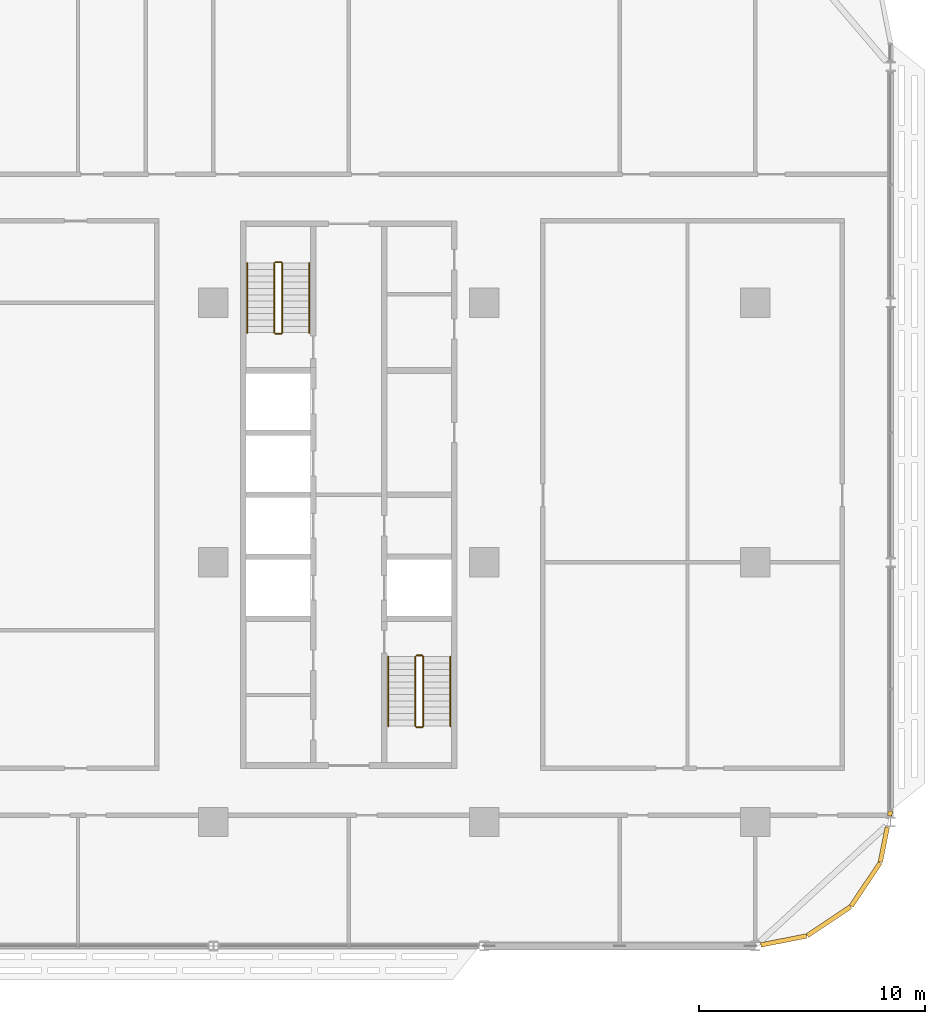
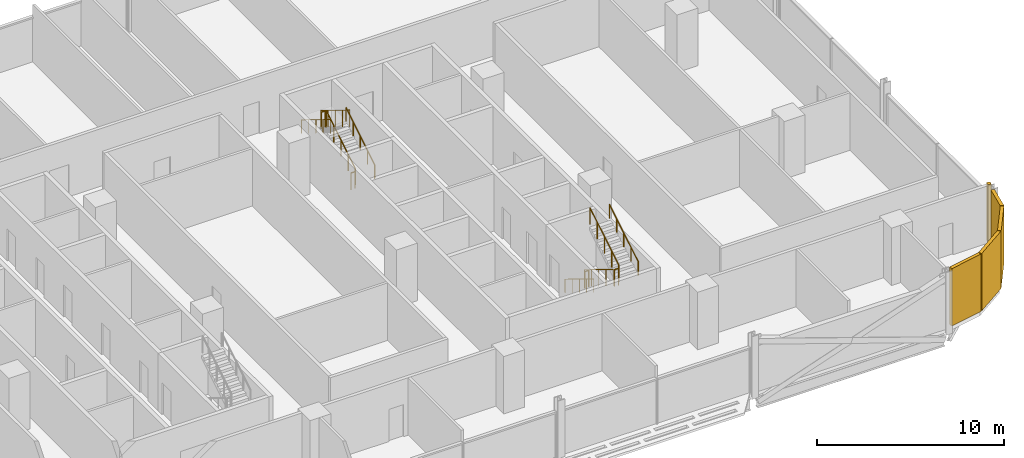
# One storey, part 27 of 28: 12 railings, 5 coverings.
"""IFC4 building model written with IfcOpenShell, lengths in metres."""

from ifc_helpers import new_model, si_unit, direction, frame, origin, origin_2d, place, context, subcontext, project, spatial, rectangle, circle, extrude, material, layer, layer_set, type_object, element, save


model = new_model("IFC4")

# Units and contexts
model_context = context("Model", 3, precision=1e-05, world=origin(), true_north=direction((0.0, 1.0)))
body_context = subcontext(model_context, "Body", "Model", "MODEL_VIEW")
ifc_project = project(units=[si_unit("LENGTHUNIT", "METRE"), si_unit("AREAUNIT", "SQUARE_METRE"), si_unit("VOLUMEUNIT", "CUBIC_METRE"), si_unit("PLANEANGLEUNIT", "RADIAN"), si_unit("MASSUNIT", "GRAM", prefix="KILO")], contexts=[model_context])

# Site, building, storey
site_placement = place(None, origin())
site = spatial("IfcSite", under=ifc_project, at=site_placement, CompositionType="ELEMENT")
building_placement = place(site_placement, origin())
building = spatial("IfcBuilding", under=site, at=building_placement, Name="Mahtab Terrace Research Tower", CompositionType="ELEMENT")
storey_placement = place(building_placement, frame((0.0, 0.0, 130.199951171875)))
storey = spatial("IfcBuildingStorey", under=building, at=storey_placement, Name="L30", CompositionType="ELEMENT", Elevation=130.199951171875)

# Coverings
ifc_material_1 = material(Name="Black aluminium cladding panel", Category="aluminium")
ifc_layer = layer(ifc_material_1, 0.199951171875)
ifc_layer_set = layer_set([ifc_layer], Name="Black metal corner cladding 200")
covering_type = type_object("IfcCoveringType", Name="Black metal corner cladding 200", PredefinedType="CLADDING", material=ifc_layer_set)
covering_1_placement = place(storey_placement, frame((43.263916015625, -16.74853515625, 0.0), z_axis=(0.0, 0.0, 1.0), x_axis=(0.980760981187, 0.195212442692, 0.0)))
element("IfcCovering", 1, at=covering_1_placement, inside=storey, type_object=covering_type, Name="Corner cladding L30 31", PredefinedType="CLADDING", context=body_context, shape_type="SweptSolid", body=[
    extrude(rectangle(XDim=2.064697265625, YDim=0.199951171875, at=origin_2d()), origin(), (0.0, 0.0, 1.0), 3.760009765625),
])
for number, where, z_axis, x_axis, name in (
    (2, (45.26953125, -15.89306640625, 0.0), (0.0, 0.0, 1.0), (0.831655794326, 0.555291490808, 0.0), "Corner cladding L30 32"),
    (3, (46.89306640625, -14.26953125, 0.0), (0.0, 0.0, 1.0), (0.555291490808, 0.831655794326, 0.0), "Corner cladding L30 33"),
):
    element("IfcCovering", number, at=place(storey_placement, frame(where, z_axis=z_axis, x_axis=x_axis)), inside=storey, type_object=covering_type, Name=name, PredefinedType="CLADDING", context=body_context, shape_type="SweptSolid", body=[
        extrude(rectangle(XDim=2.30126953125, YDim=0.199951171875, at=origin_2d()), origin(), (0.0, 0.0, 1.0), 3.760009765625),
    ])
covering_2_placement = place(storey_placement, frame((47.700439453125, -12.50439453125, 0.0), z_axis=(0.0, 0.0, 1.0), x_axis=(0.195212442692, 0.980760981187, 0.0)))
element("IfcCovering", 4, at=covering_2_placement, inside=storey, type_object=covering_type, Name="Corner cladding L30 34", PredefinedType="CLADDING", context=body_context, shape_type="SweptSolid", body=[
    extrude(rectangle(XDim=1.574462890625, YDim=0.199951171875, at=origin_2d()), origin(), (0.0, 0.0, 1.0), 3.760009765625),
])
covering_3_placement = place(storey_placement, frame((47.97607421875, -11.11962890625, 0.0), z_axis=(0.0, 0.0, 1.0), x_axis=(0.195212442692, 0.980760981187, 0.0)))
element("IfcCovering", 5, at=covering_3_placement, inside=storey, type_object=covering_type, Name="Corner cladding L30 35", PredefinedType="CLADDING", context=body_context, shape_type="SweptSolid", body=[
    extrude(rectangle(XDim=0.22412109375, YDim=0.199951171875, at=origin_2d()), origin(), (0.0, 0.0, 1.0), 3.760009765625),
])

# Railings
ifc_material_2 = material(Name="Stainless steel AISI 304", Category="steel")
railing_type_1 = type_object("IfcRailingType", Name="Stair guard 1100", PredefinedType="GUARDRAIL", material=ifc_material_2)
railing_1_placement = place(storey_placement, frame((21.050048828125, 10.175048828125, 0.1708984375)))
element("IfcRailing", 6, at=railing_1_placement, inside=storey, type_object=railing_type_1, Name="L30 ST3 stair guard 1", PredefinedType="GUARDRAIL", context=body_context, shape_type="SweptSolid", body=[
    extrude(circle(Radius=0.02392578125, at=origin_2d()), frame((0.0, 0.0, 1.076171875), z_axis=(0.0, 0.853647949592, 0.520850437417), x_axis=(-1.0, 0.0, 0.0)), (0.0, 0.0, 1.0), 3.60791015625),
    extrude(circle(Radius=0.02099609375, at=origin_2d()), origin(), (0.0, 0.0, 1.0), 1.052001953125),
    extrude(circle(Radius=0.02099609375, at=origin_2d()), frame((0.0, 0.77001953125, 0.4697265625)), (0.0, 0.0, 1.0), 1.052001953125),
    extrude(circle(Radius=0.02099609375, at=origin_2d()), frame((0.0, 1.5400390625, 0.939453125)), (0.0, 0.0, 1.0), 1.052001953125),
    extrude(circle(Radius=0.02099609375, at=origin_2d()), frame((0.0, 2.309814453125, 1.409423828125)), (0.0, 0.0, 1.0), 1.052001953125),
    extrude(circle(Radius=0.02099609375, at=origin_2d()), frame((0.0, 3.079833984375, 1.879150390625)), (0.0, 0.0, 1.0), 1.052001953125),
])
railing_2_placement = place(storey_placement, frame((21.0, 13.304931640625, 2.050048828125)))
element("IfcRailing", 7, at=railing_2_placement, inside=storey, type_object=railing_type_1, Name="L30 ST3 stair guard 2", PredefinedType="GUARDRAIL", context=body_context, shape_type="SweptSolid", body=[
    extrude(circle(Radius=0.02392578125, at=origin_2d()), frame((0.0, 0.0, 1.076171875), z_axis=(-1.0, 0.0, 0.0), x_axis=(0.0, -1.0, 0.0)), (0.0, 0.0, 1.0), 0.25),
    extrude(circle(Radius=0.02099609375, at=origin_2d()), origin(), (0.0, 0.0, 1.0), 1.052001953125),
    extrude(circle(Radius=0.02099609375, at=origin_2d()), frame((-0.25, 0.0, 0.0)), (0.0, 0.0, 1.0), 1.052001953125),
])
railing_3_placement = place(storey_placement, frame((20.699951171875, 13.2548828125, 2.220947265625)))
element("IfcRailing", 8, at=railing_3_placement, inside=storey, type_object=railing_type_1, Name="L30 ST3 stair guard 3", PredefinedType="GUARDRAIL", context=body_context, shape_type="SweptSolid", body=[
    extrude(circle(Radius=0.02392578125, at=origin_2d()), frame((0.0, 0.0, 1.076171875), z_axis=(0.0, -0.853647949592, 0.520850437417), x_axis=(1.0, 0.0, 0.0)), (0.0, 0.0, 1.0), 3.60791015625),
    extrude(circle(Radius=0.02099609375, at=origin_2d()), origin(), (0.0, 0.0, 1.0), 1.052001953125),
    extrude(circle(Radius=0.02099609375, at=origin_2d()), frame((0.0, -0.77001953125, 0.4697265625)), (0.0, 0.0, 1.0), 1.052001953125),
    extrude(circle(Radius=0.02099609375, at=origin_2d()), frame((0.0, -1.5400390625, 0.939453125)), (0.0, 0.0, 1.0), 1.052001953125),
    extrude(circle(Radius=0.02099609375, at=origin_2d()), frame((0.0, -2.309814453125, 1.409423828125)), (0.0, 0.0, 1.0), 1.052001953125),
    extrude(circle(Radius=0.02099609375, at=origin_2d()), frame((0.0, -3.079833984375, 1.879150390625)), (0.0, 0.0, 1.0), 1.052001953125),
])
railing_4_placement = place(storey_placement, frame((21.0, 10.125, 0.0)))
element("IfcRailing", 9, at=railing_4_placement, inside=storey, type_object=railing_type_1, Name="L30 ST3 stair guard 4", PredefinedType="GUARDRAIL", context=body_context, shape_type="SweptSolid", body=[
    extrude(circle(Radius=0.02392578125, at=origin_2d()), frame((0.0, 0.0, 1.076171875), z_axis=(-1.0, 0.0, 0.0), x_axis=(0.0, -1.0, 0.0)), (0.0, 0.0, 1.0), 0.25),
    extrude(circle(Radius=0.02099609375, at=origin_2d()), origin(), (0.0, 0.0, 1.0), 1.052001953125),
    extrude(circle(Radius=0.02099609375, at=origin_2d()), frame((-0.25, 0.0, 0.0)), (0.0, 0.0, 1.0), 1.052001953125),
])
railing_5_placement = place(storey_placement, frame((26.949951171875, -4.175048828125, 0.1708984375)))
element("IfcRailing", 10, at=railing_5_placement, inside=storey, type_object=railing_type_1, Name="L30 ST4 stair guard 1", PredefinedType="GUARDRAIL", context=body_context, shape_type="SweptSolid", body=[
    extrude(circle(Radius=0.02392578125, at=origin_2d()), frame((0.0, 0.0, 1.076171875), z_axis=(0.0, -0.853647949592, 0.520850437417), x_axis=(1.0, 0.0, 0.0)), (0.0, 0.0, 1.0), 3.60791015625),
    extrude(circle(Radius=0.02099609375, at=origin_2d()), origin(), (0.0, 0.0, 1.0), 1.052001953125),
    extrude(circle(Radius=0.02099609375, at=origin_2d()), frame((0.0, -0.77001953125, 0.4697265625)), (0.0, 0.0, 1.0), 1.052001953125),
    extrude(circle(Radius=0.02099609375, at=origin_2d()), frame((0.0, -1.5400390625, 0.939453125)), (0.0, 0.0, 1.0), 1.052001953125),
    extrude(circle(Radius=0.02099609375, at=origin_2d()), frame((0.0, -2.309814453125, 1.409423828125)), (0.0, 0.0, 1.0), 1.052001953125),
    extrude(circle(Radius=0.02099609375, at=origin_2d()), frame((0.0, -3.079833984375, 1.879150390625)), (0.0, 0.0, 1.0), 1.052001953125),
])
railing_6_placement = place(storey_placement, frame((27.0, -7.304931640625, 2.050048828125)))
element("IfcRailing", 11, at=railing_6_placement, inside=storey, type_object=railing_type_1, Name="L30 ST4 stair guard 2", PredefinedType="GUARDRAIL", context=body_context, shape_type="SweptSolid", body=[
    extrude(circle(Radius=0.02392578125, at=origin_2d()), frame((0.0, 0.0, 1.076171875), z_axis=(1.0, 0.0, 0.0), x_axis=(0.0, 1.0, 0.0)), (0.0, 0.0, 1.0), 0.25),
    extrude(circle(Radius=0.02099609375, at=origin_2d()), origin(), (0.0, 0.0, 1.0), 1.052001953125),
    extrude(circle(Radius=0.02099609375, at=origin_2d()), frame((0.25, 0.0, 0.0)), (0.0, 0.0, 1.0), 1.052001953125),
])
railing_7_placement = place(storey_placement, frame((27.300048828125, -7.2548828125, 2.220947265625)))
element("IfcRailing", 12, at=railing_7_placement, inside=storey, type_object=railing_type_1, Name="L30 ST4 stair guard 3", PredefinedType="GUARDRAIL", context=body_context, shape_type="SweptSolid", body=[
    extrude(circle(Radius=0.02392578125, at=origin_2d()), frame((0.0, 0.0, 1.076171875), z_axis=(0.0, 0.853647949592, 0.520850437417), x_axis=(-1.0, 0.0, 0.0)), (0.0, 0.0, 1.0), 3.60791015625),
    extrude(circle(Radius=0.02099609375, at=origin_2d()), origin(), (0.0, 0.0, 1.0), 1.052001953125),
    extrude(circle(Radius=0.02099609375, at=origin_2d()), frame((0.0, 0.77001953125, 0.4697265625)), (0.0, 0.0, 1.0), 1.052001953125),
    extrude(circle(Radius=0.02099609375, at=origin_2d()), frame((0.0, 1.5400390625, 0.939453125)), (0.0, 0.0, 1.0), 1.052001953125),
    extrude(circle(Radius=0.02099609375, at=origin_2d()), frame((0.0, 2.309814453125, 1.409423828125)), (0.0, 0.0, 1.0), 1.052001953125),
    extrude(circle(Radius=0.02099609375, at=origin_2d()), frame((0.0, 3.079833984375, 1.879150390625)), (0.0, 0.0, 1.0), 1.052001953125),
])
railing_8_placement = place(storey_placement, frame((27.0, -4.125, 0.0)))
element("IfcRailing", 13, at=railing_8_placement, inside=storey, type_object=railing_type_1, Name="L30 ST4 stair guard 4", PredefinedType="GUARDRAIL", context=body_context, shape_type="SweptSolid", body=[
    extrude(circle(Radius=0.02392578125, at=origin_2d()), frame((0.0, 0.0, 1.076171875), z_axis=(1.0, 0.0, 0.0), x_axis=(0.0, 1.0, 0.0)), (0.0, 0.0, 1.0), 0.25),
    extrude(circle(Radius=0.02099609375, at=origin_2d()), origin(), (0.0, 0.0, 1.0), 1.052001953125),
    extrude(circle(Radius=0.02099609375, at=origin_2d()), frame((0.25, 0.0, 0.0)), (0.0, 0.0, 1.0), 1.052001953125),
])
railing_type_2 = type_object("IfcRailingType", Name="Stair handrail 900", PredefinedType="HANDRAIL", material=ifc_material_2)
railing_9_placement = place(storey_placement, frame((22.25, 10.175048828125, 0.1708984375)))
element("IfcRailing", 14, at=railing_9_placement, inside=storey, type_object=railing_type_2, Name="L30 ST3 stair handrail 1", PredefinedType="HANDRAIL", context=body_context, shape_type="SweptSolid", body=[
    extrude(circle(Radius=0.02392578125, at=origin_2d()), frame((0.0, 0.0, 0.8759765625), z_axis=(0.0, 0.853647949592, 0.520850437417), x_axis=(-1.0, 0.0, 0.0)), (0.0, 0.0, 1.0), 3.60791015625),
    extrude(circle(Radius=0.02099609375, at=origin_2d()), origin(), (0.0, 0.0, 1.0), 0.851806640625),
    extrude(circle(Radius=0.02099609375, at=origin_2d()), frame((0.0, 0.77001953125, 0.4697265625)), (0.0, 0.0, 1.0), 0.851806640625),
    extrude(circle(Radius=0.02099609375, at=origin_2d()), frame((0.0, 1.5400390625, 0.939453125)), (0.0, 0.0, 1.0), 0.851806640625),
    extrude(circle(Radius=0.02099609375, at=origin_2d()), frame((0.0, 2.309814453125, 1.409423828125)), (0.0, 0.0, 1.0), 0.851806640625),
    extrude(circle(Radius=0.02099609375, at=origin_2d()), frame((0.0, 3.079833984375, 1.879150390625)), (0.0, 0.0, 1.0), 0.851806640625),
])
for number, where, name in (
    (15, (19.5, 13.2548828125, 2.220947265625), "L30 ST3 stair handrail 2"),
    (16, (25.75, -4.175048828125, 0.1708984375), "L30 ST4 stair handrail 1"),
):
    element("IfcRailing", number, at=place(storey_placement, frame(where)), inside=storey, type_object=railing_type_2, Name=name, PredefinedType="HANDRAIL", context=body_context, shape_type="SweptSolid", body=[
        extrude(circle(Radius=0.02392578125, at=origin_2d()), frame((0.0, 0.0, 0.8759765625), z_axis=(0.0, -0.853647949592, 0.520850437417), x_axis=(1.0, 0.0, 0.0)), (0.0, 0.0, 1.0), 3.60791015625),
        extrude(circle(Radius=0.02099609375, at=origin_2d()), origin(), (0.0, 0.0, 1.0), 0.851806640625),
        extrude(circle(Radius=0.02099609375, at=origin_2d()), frame((0.0, -0.77001953125, 0.4697265625)), (0.0, 0.0, 1.0), 0.851806640625),
        extrude(circle(Radius=0.02099609375, at=origin_2d()), frame((0.0, -1.5400390625, 0.939453125)), (0.0, 0.0, 1.0), 0.851806640625),
        extrude(circle(Radius=0.02099609375, at=origin_2d()), frame((0.0, -2.309814453125, 1.409423828125)), (0.0, 0.0, 1.0), 0.851806640625),
        extrude(circle(Radius=0.02099609375, at=origin_2d()), frame((0.0, -3.079833984375, 1.879150390625)), (0.0, 0.0, 1.0), 0.851806640625),
    ])
railing_10_placement = place(storey_placement, frame((28.5, -7.2548828125, 2.220947265625)))
element("IfcRailing", 17, at=railing_10_placement, inside=storey, type_object=railing_type_2, Name="L30 ST4 stair handrail 2", PredefinedType="HANDRAIL", context=body_context, shape_type="SweptSolid", body=[
    extrude(circle(Radius=0.02392578125, at=origin_2d()), frame((0.0, 0.0, 0.8759765625), z_axis=(0.0, 0.853647949592, 0.520850437417), x_axis=(-1.0, 0.0, 0.0)), (0.0, 0.0, 1.0), 3.60791015625),
    extrude(circle(Radius=0.02099609375, at=origin_2d()), origin(), (0.0, 0.0, 1.0), 0.851806640625),
    extrude(circle(Radius=0.02099609375, at=origin_2d()), frame((0.0, 0.77001953125, 0.4697265625)), (0.0, 0.0, 1.0), 0.851806640625),
    extrude(circle(Radius=0.02099609375, at=origin_2d()), frame((0.0, 1.5400390625, 0.939453125)), (0.0, 0.0, 1.0), 0.851806640625),
    extrude(circle(Radius=0.02099609375, at=origin_2d()), frame((0.0, 2.309814453125, 1.409423828125)), (0.0, 0.0, 1.0), 0.851806640625),
    extrude(circle(Radius=0.02099609375, at=origin_2d()), frame((0.0, 3.079833984375, 1.879150390625)), (0.0, 0.0, 1.0), 0.851806640625),
])

save(model, "model.ifc")
